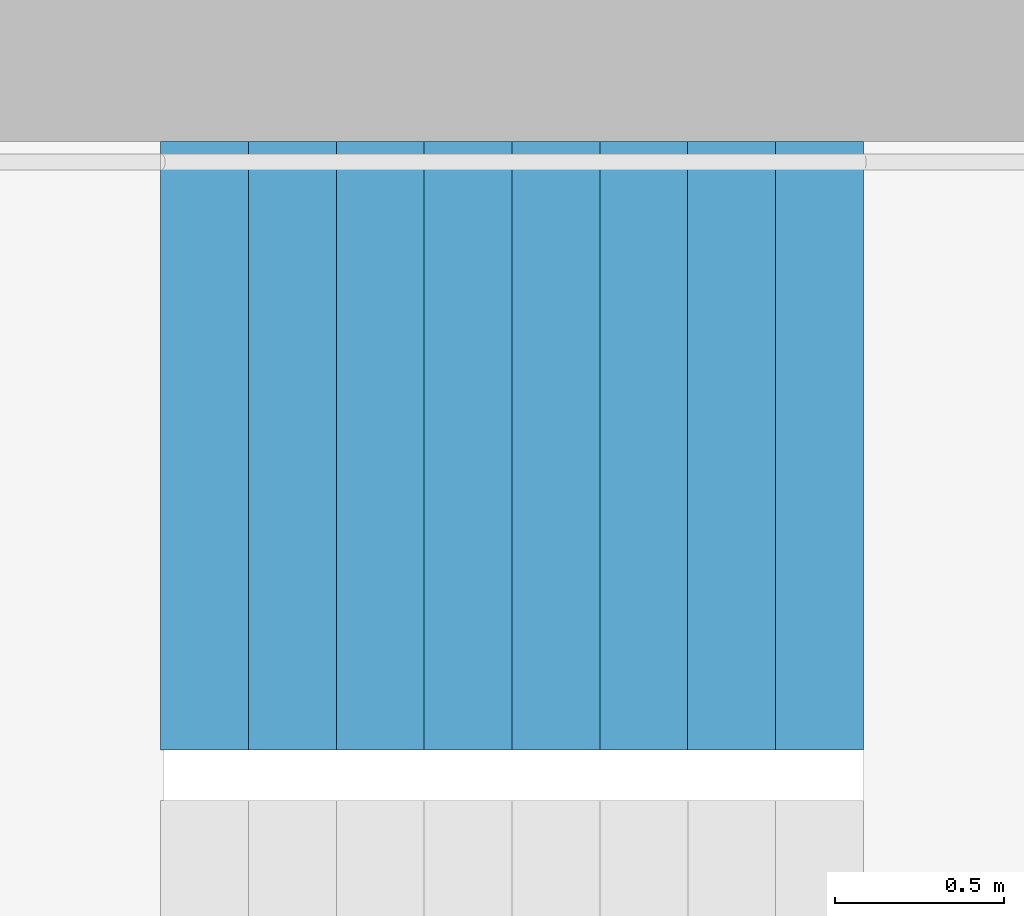
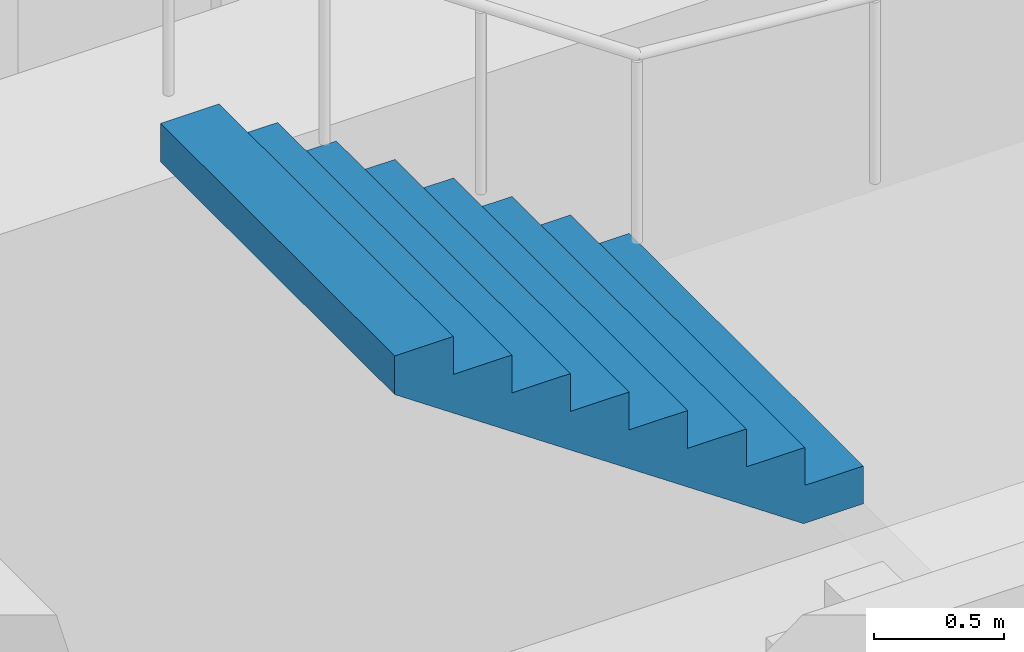
# One storey, part 21 of 26: 1 stair flight, 1 element without a shape of its own.
"""IFC4 building model written with IfcOpenShell, lengths in metres."""

from ifc_helpers import new_model, si_unit, direction, frame, origin, place, context, subcontext, project, spatial, triangles, material, type_object, element, aggregate, save


model = new_model("IFC4")

# Units and contexts
model_context = context("Model", 3, precision=1e-05, world=origin(), true_north=direction((0.0, 1.0)))
body_context = subcontext(model_context, "Body", "Model", "MODEL_VIEW")
ifc_project = project(units=[si_unit("LENGTHUNIT", "METRE"), si_unit("AREAUNIT", "SQUARE_METRE"), si_unit("VOLUMEUNIT", "CUBIC_METRE"), si_unit("PLANEANGLEUNIT", "RADIAN"), si_unit("MASSUNIT", "GRAM", prefix="KILO")], contexts=[model_context])

# Site, building, storey
site_placement = place(None, origin())
site = spatial("IfcSite", under=ifc_project, at=site_placement, CompositionType="ELEMENT")
building_placement = place(site_placement, origin())
building = spatial("IfcBuilding", under=site, at=building_placement, Name="Hakoniwa Tower and Hamabe Station Hall", CompositionType="ELEMENT")
storey_placement = place(building_placement, frame((0.0, 0.0, 140.60009765625)))
storey = spatial("IfcBuildingStorey", under=building, at=storey_placement, Name="L39", CompositionType="ELEMENT", Elevation=140.60009765625)

# Stair, stair flight
ifc_material_1 = material(Name="Concrete C40", Category="concrete")
stair_type = type_object("IfcStairType", Name="ESCAPE STAIR 1800", PredefinedType="HALF_TURN_STAIR", material=ifc_material_1)
stair_placement = place(storey_placement, origin())
stair = element("IfcStair", 1, at=stair_placement, inside=storey, type_object=stair_type, Name="Escape stair ST-1 L39", PredefinedType="HALF_TURN_STAIR")
ifc_material_2 = material(Name="Concrete C40", Category="concrete")
stair_flight_type = type_object("IfcStairFlightType", Name="STAIR FLIGHT 1800", PredefinedType="STRAIGHT", material=ifc_material_2)
stair_flight_placement = place(storey_placement, frame((-22.320068359375, 6.60009765625, 1.599853515625), z_axis=(0.0, 0.0, 1.0), x_axis=(-1.0, 0.0, 0.0)))
stair_flight = element("IfcStairFlight", 2, at=stair_flight_placement, type_object=stair_flight_type, Name="ST-1 flight 2", NumberOfRisers=9, NumberOfTreads=8, PredefinedType="STRAIGHT", RiserHeight=0.177777778, TreadLength=0.26, context=body_context, shape_type="Tessellation", body=[
    triangles([(0.0, 0.89990234375, 0.0), (0.260009765625, 0.89990234375, 0.0), (0.265625, 0.89990234375, 0.0), (0.52001953125, 0.89990234375, 0.174072265625), (0.780029296875, 0.89990234375, 0.351806640625), (1.0400390625, 0.89990234375, 0.529541015625), (1.300048828125, 0.89990234375, 0.707275390625), (1.56005859375, 0.89990234375, 0.885009765625), (1.820068359375, 0.89990234375, 1.062744140625), (2.080078125, 0.89990234375, 1.24072265625), (2.080078125, 0.89990234375, 1.422119140625), (1.820068359375, 0.89990234375, 1.422119140625), (1.820068359375, 0.89990234375, 1.244384765625), (1.56005859375, 0.89990234375, 1.244384765625), (1.56005859375, 0.89990234375, 1.066650390625), (1.300048828125, 0.89990234375, 1.066650390625), (1.300048828125, 0.89990234375, 0.888916015625), (1.0400390625, 0.89990234375, 0.888916015625), (1.0400390625, 0.89990234375, 0.711181640625), (0.780029296875, 0.89990234375, 0.711181640625), (0.780029296875, 0.89990234375, 0.533447265625), (0.52001953125, 0.89990234375, 0.533447265625), (0.52001953125, 0.89990234375, 0.35546875), (0.265625, 0.89990234375, 0.35546875), (0.260009765625, 0.89990234375, 0.35546875), (0.260009765625, 0.89990234375, 0.177734375), (0.0, 0.89990234375, 0.177734375), (0.0, 0.06005859375, 0.0), (0.260009765625, 0.06005859375, 0.0), (0.265625, 0.06005859375, 0.0), (0.52001953125, 0.06005859375, 0.174072265625), (0.780029296875, 0.06005859375, 0.351806640625), (1.0400390625, 0.06005859375, 0.529541015625), (1.300048828125, 0.06005859375, 0.707275390625), (1.56005859375, 0.06005859375, 0.885009765625), (1.820068359375, 0.06005859375, 1.062744140625), (2.080078125, 0.06005859375, 1.24072265625), (2.080078125, 0.06005859375, 1.422119140625), (1.820068359375, 0.06005859375, 1.422119140625), (1.820068359375, 0.06005859375, 1.244384765625), (1.56005859375, 0.06005859375, 1.244384765625), (1.56005859375, 0.06005859375, 1.066650390625), (1.300048828125, 0.06005859375, 1.066650390625), (1.300048828125, 0.06005859375, 0.888916015625), (1.0400390625, 0.06005859375, 0.888916015625), (1.0400390625, 0.06005859375, 0.711181640625), (0.780029296875, 0.06005859375, 0.711181640625), (0.780029296875, 0.06005859375, 0.533447265625), (0.52001953125, 0.06005859375, 0.533447265625), (0.52001953125, 0.06005859375, 0.35546875), (0.265625, 0.06005859375, 0.35546875), (0.260009765625, 0.06005859375, 0.35546875), (0.260009765625, 0.06005859375, 0.177734375), (0.0, 0.06005859375, 0.177734375), (0.0, 0.04296875, 0.0), (0.260009765625, 0.04296875, 0.0), (0.265625, 0.04296875, 0.0), (0.52001953125, 0.04296875, 0.174072265625), (0.780029296875, 0.04296875, 0.351806640625), (1.0400390625, 0.04296875, 0.529541015625), (1.300048828125, 0.04296875, 0.707275390625), (1.56005859375, 0.04296875, 0.885009765625), (1.820068359375, 0.04296875, 1.062744140625), (2.080078125, 0.04296875, 1.24072265625), (2.080078125, 0.04296875, 1.422119140625), (1.820068359375, 0.04296875, 1.422119140625), (1.820068359375, 0.04296875, 1.244384765625), (1.56005859375, 0.04296875, 1.244384765625), (1.56005859375, 0.04296875, 1.066650390625), (1.300048828125, 0.04296875, 1.066650390625), (1.300048828125, 0.04296875, 0.888916015625), (1.0400390625, 0.04296875, 0.888916015625), (1.0400390625, 0.04296875, 0.711181640625), (0.780029296875, 0.04296875, 0.711181640625), (0.780029296875, 0.04296875, 0.533447265625), (0.52001953125, 0.04296875, 0.533447265625), (0.52001953125, 0.04296875, 0.35546875), (0.265625, 0.04296875, 0.35546875), (0.260009765625, 0.04296875, 0.35546875), (0.260009765625, 0.04296875, 0.177734375), (0.0, 0.04296875, 0.177734375), (0.0, 0.025634765625, 0.0), (0.260009765625, 0.025634765625, 0.0), (0.265625, 0.025634765625, 0.0), (0.52001953125, 0.025634765625, 0.174072265625), (0.780029296875, 0.025634765625, 0.351806640625), (1.0400390625, 0.025634765625, 0.529541015625), (1.300048828125, 0.025634765625, 0.707275390625), (1.56005859375, 0.025634765625, 0.885009765625), (1.820068359375, 0.025634765625, 1.062744140625), (2.080078125, 0.025634765625, 1.24072265625), (2.080078125, 0.025634765625, 1.422119140625), (1.820068359375, 0.025634765625, 1.422119140625), (1.820068359375, 0.025634765625, 1.244384765625), (1.56005859375, 0.025634765625, 1.244384765625), (1.56005859375, 0.025634765625, 1.066650390625), (1.300048828125, 0.025634765625, 1.066650390625), (1.300048828125, 0.025634765625, 0.888916015625), (1.0400390625, 0.025634765625, 0.888916015625), (1.0400390625, 0.025634765625, 0.711181640625), (0.780029296875, 0.025634765625, 0.711181640625), (0.780029296875, 0.025634765625, 0.533447265625), (0.52001953125, 0.025634765625, 0.533447265625), (0.52001953125, 0.025634765625, 0.35546875), (0.265625, 0.025634765625, 0.35546875), (0.260009765625, 0.025634765625, 0.35546875), (0.260009765625, 0.025634765625, 0.177734375), (0.0, 0.025634765625, 0.177734375), (0.0, 0.008544921875, 0.0), (0.260009765625, 0.008544921875, 0.0), (0.265625, 0.008544921875, 0.0), (0.52001953125, 0.008544921875, 0.174072265625), (0.780029296875, 0.008544921875, 0.351806640625), (1.0400390625, 0.008544921875, 0.529541015625), (1.300048828125, 0.008544921875, 0.707275390625), (1.56005859375, 0.008544921875, 0.885009765625), (1.820068359375, 0.008544921875, 1.062744140625), (2.080078125, 0.008544921875, 1.24072265625), (2.080078125, 0.008544921875, 1.422119140625), (1.820068359375, 0.008544921875, 1.422119140625), (1.820068359375, 0.008544921875, 1.244384765625), (1.56005859375, 0.008544921875, 1.244384765625), (1.56005859375, 0.008544921875, 1.066650390625), (1.300048828125, 0.008544921875, 1.066650390625), (1.300048828125, 0.008544921875, 0.888916015625), (1.0400390625, 0.008544921875, 0.888916015625), (1.0400390625, 0.008544921875, 0.711181640625), (0.780029296875, 0.008544921875, 0.711181640625), (0.780029296875, 0.008544921875, 0.533447265625), (0.52001953125, 0.008544921875, 0.533447265625), (0.52001953125, 0.008544921875, 0.35546875), (0.265625, 0.008544921875, 0.35546875), (0.260009765625, 0.008544921875, 0.35546875), (0.260009765625, 0.008544921875, 0.177734375), (0.0, 0.008544921875, 0.177734375), (0.0, -0.008544921875, 0.0), (0.260009765625, -0.008544921875, 0.0), (0.265625, -0.008544921875, 0.0), (0.52001953125, -0.008544921875, 0.174072265625), (0.780029296875, -0.008544921875, 0.351806640625), (1.0400390625, -0.008544921875, 0.529541015625), (1.300048828125, -0.008544921875, 0.707275390625), (1.56005859375, -0.008544921875, 0.885009765625), (1.820068359375, -0.008544921875, 1.062744140625), (2.080078125, -0.008544921875, 1.24072265625), (2.080078125, -0.008544921875, 1.422119140625), (1.820068359375, -0.008544921875, 1.422119140625), (1.820068359375, -0.008544921875, 1.244384765625), (1.56005859375, -0.008544921875, 1.244384765625), (1.56005859375, -0.008544921875, 1.066650390625), (1.300048828125, -0.008544921875, 1.066650390625), (1.300048828125, -0.008544921875, 0.888916015625), (1.0400390625, -0.008544921875, 0.888916015625), (1.0400390625, -0.008544921875, 0.711181640625), (0.780029296875, -0.008544921875, 0.711181640625), (0.780029296875, -0.008544921875, 0.533447265625), (0.52001953125, -0.008544921875, 0.533447265625), (0.52001953125, -0.008544921875, 0.35546875), (0.265625, -0.008544921875, 0.35546875), (0.260009765625, -0.008544921875, 0.35546875), (0.260009765625, -0.008544921875, 0.177734375), (0.0, -0.008544921875, 0.177734375), (0.0, -0.025634765625, 0.0), (0.260009765625, -0.025634765625, 0.0), (0.265625, -0.025634765625, 0.0), (0.52001953125, -0.025634765625, 0.174072265625), (0.780029296875, -0.025634765625, 0.351806640625), (1.0400390625, -0.025634765625, 0.529541015625), (1.300048828125, -0.025634765625, 0.707275390625), (1.56005859375, -0.025634765625, 0.885009765625), (1.820068359375, -0.025634765625, 1.062744140625), (2.080078125, -0.025634765625, 1.24072265625), (2.080078125, -0.025634765625, 1.422119140625), (1.820068359375, -0.025634765625, 1.422119140625), (1.820068359375, -0.025634765625, 1.244384765625), (1.56005859375, -0.025634765625, 1.244384765625), (1.56005859375, -0.025634765625, 1.066650390625), (1.300048828125, -0.025634765625, 1.066650390625), (1.300048828125, -0.025634765625, 0.888916015625), (1.0400390625, -0.025634765625, 0.888916015625), (1.0400390625, -0.025634765625, 0.711181640625), (0.780029296875, -0.025634765625, 0.711181640625), (0.780029296875, -0.025634765625, 0.533447265625), (0.52001953125, -0.025634765625, 0.533447265625), (0.52001953125, -0.025634765625, 0.35546875), (0.265625, -0.025634765625, 0.35546875), (0.260009765625, -0.025634765625, 0.35546875), (0.260009765625, -0.025634765625, 0.177734375), (0.0, -0.025634765625, 0.177734375), (0.0, -0.04296875, 0.0), (0.260009765625, -0.04296875, 0.0), (0.265625, -0.04296875, 0.0), (0.52001953125, -0.04296875, 0.174072265625), (0.780029296875, -0.04296875, 0.351806640625), (1.0400390625, -0.04296875, 0.529541015625), (1.300048828125, -0.04296875, 0.707275390625), (1.56005859375, -0.04296875, 0.885009765625), (1.820068359375, -0.04296875, 1.062744140625), (2.080078125, -0.04296875, 1.24072265625), (2.080078125, -0.04296875, 1.422119140625), (1.820068359375, -0.04296875, 1.422119140625), (1.820068359375, -0.04296875, 1.244384765625), (1.56005859375, -0.04296875, 1.244384765625), (1.56005859375, -0.04296875, 1.066650390625), (1.300048828125, -0.04296875, 1.066650390625), (1.300048828125, -0.04296875, 0.888916015625), (1.0400390625, -0.04296875, 0.888916015625), (1.0400390625, -0.04296875, 0.711181640625), (0.780029296875, -0.04296875, 0.711181640625), (0.780029296875, -0.04296875, 0.533447265625), (0.52001953125, -0.04296875, 0.533447265625), (0.52001953125, -0.04296875, 0.35546875), (0.265625, -0.04296875, 0.35546875), (0.260009765625, -0.04296875, 0.35546875), (0.260009765625, -0.04296875, 0.177734375), (0.0, -0.04296875, 0.177734375), (0.0, -0.06005859375, 0.0), (0.260009765625, -0.06005859375, 0.0), (0.265625, -0.06005859375, 0.0), (0.52001953125, -0.06005859375, 0.174072265625), (0.780029296875, -0.06005859375, 0.351806640625), (1.0400390625, -0.06005859375, 0.529541015625), (1.300048828125, -0.06005859375, 0.707275390625), (1.56005859375, -0.06005859375, 0.885009765625), (1.820068359375, -0.06005859375, 1.062744140625), (2.080078125, -0.06005859375, 1.24072265625), (2.080078125, -0.06005859375, 1.422119140625), (1.820068359375, -0.06005859375, 1.422119140625), (1.820068359375, -0.06005859375, 1.244384765625), (1.56005859375, -0.06005859375, 1.244384765625), (1.56005859375, -0.06005859375, 1.066650390625), (1.300048828125, -0.06005859375, 1.066650390625), (1.300048828125, -0.06005859375, 0.888916015625), (1.0400390625, -0.06005859375, 0.888916015625), (1.0400390625, -0.06005859375, 0.711181640625), (0.780029296875, -0.06005859375, 0.711181640625), (0.780029296875, -0.06005859375, 0.533447265625), (0.52001953125, -0.06005859375, 0.533447265625), (0.52001953125, -0.06005859375, 0.35546875), (0.265625, -0.06005859375, 0.35546875), (0.260009765625, -0.06005859375, 0.35546875), (0.260009765625, -0.06005859375, 0.177734375), (0.0, -0.06005859375, 0.177734375), (0.0, -0.89990234375, 0.0), (0.260009765625, -0.89990234375, 0.0), (0.265625, -0.89990234375, 0.0), (0.52001953125, -0.89990234375, 0.174072265625), (0.780029296875, -0.89990234375, 0.351806640625), (1.0400390625, -0.89990234375, 0.529541015625), (1.300048828125, -0.89990234375, 0.707275390625), (1.56005859375, -0.89990234375, 0.885009765625), (1.820068359375, -0.89990234375, 1.062744140625), (2.080078125, -0.89990234375, 1.24072265625), (2.080078125, -0.89990234375, 1.422119140625), (1.820068359375, -0.89990234375, 1.422119140625), (1.820068359375, -0.89990234375, 1.244384765625), (1.56005859375, -0.89990234375, 1.244384765625), (1.56005859375, -0.89990234375, 1.066650390625), (1.300048828125, -0.89990234375, 1.066650390625), (1.300048828125, -0.89990234375, 0.888916015625), (1.0400390625, -0.89990234375, 0.888916015625), (1.0400390625, -0.89990234375, 0.711181640625), (0.780029296875, -0.89990234375, 0.711181640625), (0.780029296875, -0.89990234375, 0.533447265625), (0.52001953125, -0.89990234375, 0.533447265625), (0.52001953125, -0.89990234375, 0.35546875), (0.265625, -0.89990234375, 0.35546875), (0.260009765625, -0.89990234375, 0.35546875), (0.260009765625, -0.89990234375, 0.177734375), (0.0, -0.89990234375, 0.177734375)], [[2, 27, 26], [245, 269, 270], [2, 1, 27], [245, 270, 244], [3, 25, 24], [246, 267, 268], [3, 26, 25], [246, 268, 269], [3, 2, 26], [246, 269, 245], [4, 24, 23], [247, 266, 267], [4, 3, 24], [247, 267, 246], [5, 22, 21], [248, 264, 265], [5, 23, 22], [248, 265, 266], [5, 4, 23], [248, 266, 247], [6, 20, 19], [249, 262, 263], [6, 21, 20], [249, 263, 264], [6, 5, 21], [249, 264, 248], [7, 18, 17], [250, 260, 261], [7, 19, 18], [250, 261, 262], [7, 6, 19], [250, 262, 249], [8, 16, 15], [251, 258, 259], [8, 17, 16], [251, 259, 260], [8, 7, 17], [251, 260, 250], [9, 14, 13], [252, 256, 257], [9, 15, 14], [252, 257, 258], [9, 8, 15], [252, 258, 251], [10, 12, 11], [253, 254, 255], [10, 13, 12], [253, 255, 256], [10, 9, 13], [253, 256, 252], [1, 2, 29], [1, 29, 28], [28, 29, 56], [28, 56, 55], [55, 56, 83], [55, 83, 82], [82, 83, 110], [82, 110, 109], [109, 110, 137], [109, 137, 136], [136, 137, 164], [136, 164, 163], [163, 164, 191], [163, 191, 190], [190, 191, 218], [190, 218, 217], [217, 218, 245], [217, 245, 244], [2, 3, 30], [2, 30, 29], [29, 30, 57], [29, 57, 56], [56, 57, 84], [56, 84, 83], [83, 84, 111], [83, 111, 110], [110, 111, 138], [110, 138, 137], [137, 138, 165], [137, 165, 164], [164, 165, 192], [164, 192, 191], [191, 192, 219], [191, 219, 218], [218, 219, 246], [218, 246, 245], [3, 4, 31], [3, 31, 30], [30, 31, 58], [30, 58, 57], [57, 58, 85], [57, 85, 84], [84, 85, 112], [84, 112, 111], [111, 112, 139], [111, 139, 138], [138, 139, 166], [138, 166, 165], [165, 166, 193], [165, 193, 192], [192, 193, 220], [192, 220, 219], [219, 220, 247], [219, 247, 246], [4, 5, 32], [4, 32, 31], [31, 32, 59], [31, 59, 58], [58, 59, 86], [58, 86, 85], [85, 86, 113], [85, 113, 112], [112, 113, 140], [112, 140, 139], [139, 140, 167], [139, 167, 166], [166, 167, 194], [166, 194, 193], [193, 194, 221], [193, 221, 220], [220, 221, 248], [220, 248, 247], [5, 6, 33], [5, 33, 32], [32, 33, 60], [32, 60, 59], [59, 60, 87], [59, 87, 86], [86, 87, 114], [86, 114, 113], [113, 114, 141], [113, 141, 140], [140, 141, 168], [140, 168, 167], [167, 168, 195], [167, 195, 194], [194, 195, 222], [194, 222, 221], [221, 222, 249], [221, 249, 248], [6, 7, 34], [6, 34, 33], [33, 34, 61], [33, 61, 60], [60, 61, 88], [60, 88, 87], [87, 88, 115], [87, 115, 114], [114, 115, 142], [114, 142, 141], [141, 142, 169], [141, 169, 168], [168, 169, 196], [168, 196, 195], [195, 196, 223], [195, 223, 222], [222, 223, 250], [222, 250, 249], [7, 8, 35], [7, 35, 34], [34, 35, 62], [34, 62, 61], [61, 62, 89], [61, 89, 88], [88, 89, 116], [88, 116, 115], [115, 116, 143], [115, 143, 142], [142, 143, 170], [142, 170, 169], [169, 170, 197], [169, 197, 196], [196, 197, 224], [196, 224, 223], [223, 224, 251], [223, 251, 250], [8, 9, 36], [8, 36, 35], [35, 36, 63], [35, 63, 62], [62, 63, 90], [62, 90, 89], [89, 90, 117], [89, 117, 116], [116, 117, 144], [116, 144, 143], [143, 144, 171], [143, 171, 170], [170, 171, 198], [170, 198, 197], [197, 198, 225], [197, 225, 224], [224, 225, 252], [224, 252, 251], [9, 10, 37], [9, 37, 36], [36, 37, 64], [36, 64, 63], [63, 64, 91], [63, 91, 90], [90, 91, 118], [90, 118, 117], [117, 118, 145], [117, 145, 144], [144, 145, 172], [144, 172, 171], [171, 172, 199], [171, 199, 198], [198, 199, 226], [198, 226, 225], [225, 226, 253], [225, 253, 252], [10, 11, 38], [10, 38, 37], [37, 38, 65], [37, 65, 64], [64, 65, 92], [64, 92, 91], [91, 92, 119], [91, 119, 118], [118, 119, 146], [118, 146, 145], [145, 146, 173], [145, 173, 172], [172, 173, 200], [172, 200, 199], [199, 200, 227], [199, 227, 226], [226, 227, 254], [226, 254, 253], [11, 12, 39], [11, 39, 38], [38, 39, 66], [38, 66, 65], [65, 66, 93], [65, 93, 92], [92, 93, 120], [92, 120, 119], [119, 120, 147], [119, 147, 146], [146, 147, 174], [146, 174, 173], [173, 174, 201], [173, 201, 200], [200, 201, 228], [200, 228, 227], [227, 228, 255], [227, 255, 254], [12, 13, 40], [12, 40, 39], [39, 40, 67], [39, 67, 66], [66, 67, 94], [66, 94, 93], [93, 94, 121], [93, 121, 120], [120, 121, 148], [120, 148, 147], [147, 148, 175], [147, 175, 174], [174, 175, 202], [174, 202, 201], [201, 202, 229], [201, 229, 228], [228, 229, 256], [228, 256, 255], [13, 14, 41], [13, 41, 40], [40, 41, 68], [40, 68, 67], [67, 68, 95], [67, 95, 94], [94, 95, 122], [94, 122, 121], [121, 122, 149], [121, 149, 148], [148, 149, 176], [148, 176, 175], [175, 176, 203], [175, 203, 202], [202, 203, 230], [202, 230, 229], [229, 230, 257], [229, 257, 256], [14, 15, 42], [14, 42, 41], [41, 42, 69], [41, 69, 68], [68, 69, 96], [68, 96, 95], [95, 96, 123], [95, 123, 122], [122, 123, 150], [122, 150, 149], [149, 150, 177], [149, 177, 176], [176, 177, 204], [176, 204, 203], [203, 204, 231], [203, 231, 230], [230, 231, 258], [230, 258, 257], [15, 16, 43], [15, 43, 42], [42, 43, 70], [42, 70, 69], [69, 70, 97], [69, 97, 96], [96, 97, 124], [96, 124, 123], [123, 124, 151], [123, 151, 150], [150, 151, 178], [150, 178, 177], [177, 178, 205], [177, 205, 204], [204, 205, 232], [204, 232, 231], [231, 232, 259], [231, 259, 258], [16, 17, 44], [16, 44, 43], [43, 44, 71], [43, 71, 70], [70, 71, 98], [70, 98, 97], [97, 98, 125], [97, 125, 124], [124, 125, 152], [124, 152, 151], [151, 152, 179], [151, 179, 178], [178, 179, 206], [178, 206, 205], [205, 206, 233], [205, 233, 232], [232, 233, 260], [232, 260, 259], [17, 18, 45], [17, 45, 44], [44, 45, 72], [44, 72, 71], [71, 72, 99], [71, 99, 98], [98, 99, 126], [98, 126, 125], [125, 126, 153], [125, 153, 152], [152, 153, 180], [152, 180, 179], [179, 180, 207], [179, 207, 206], [206, 207, 234], [206, 234, 233], [233, 234, 261], [233, 261, 260], [18, 19, 46], [18, 46, 45], [45, 46, 73], [45, 73, 72], [72, 73, 100], [72, 100, 99], [99, 100, 127], [99, 127, 126], [126, 127, 154], [126, 154, 153], [153, 154, 181], [153, 181, 180], [180, 181, 208], [180, 208, 207], [207, 208, 235], [207, 235, 234], [234, 235, 262], [234, 262, 261], [19, 20, 47], [19, 47, 46], [46, 47, 74], [46, 74, 73], [73, 74, 101], [73, 101, 100], [100, 101, 128], [100, 128, 127], [127, 128, 155], [127, 155, 154], [154, 155, 182], [154, 182, 181], [181, 182, 209], [181, 209, 208], [208, 209, 236], [208, 236, 235], [235, 236, 263], [235, 263, 262], [20, 21, 48], [20, 48, 47], [47, 48, 75], [47, 75, 74], [74, 75, 102], [74, 102, 101], [101, 102, 129], [101, 129, 128], [128, 129, 156], [128, 156, 155], [155, 156, 183], [155, 183, 182], [182, 183, 210], [182, 210, 209], [209, 210, 237], [209, 237, 236], [236, 237, 264], [236, 264, 263], [21, 22, 49], [21, 49, 48], [48, 49, 76], [48, 76, 75], [75, 76, 103], [75, 103, 102], [102, 103, 130], [102, 130, 129], [129, 130, 157], [129, 157, 156], [156, 157, 184], [156, 184, 183], [183, 184, 211], [183, 211, 210], [210, 211, 238], [210, 238, 237], [237, 238, 265], [237, 265, 264], [22, 23, 50], [22, 50, 49], [49, 50, 77], [49, 77, 76], [76, 77, 104], [76, 104, 103], [103, 104, 131], [103, 131, 130], [130, 131, 158], [130, 158, 157], [157, 158, 185], [157, 185, 184], [184, 185, 212], [184, 212, 211], [211, 212, 239], [211, 239, 238], [238, 239, 266], [238, 266, 265], [23, 24, 51], [23, 51, 50], [50, 51, 78], [50, 78, 77], [77, 78, 105], [77, 105, 104], [104, 105, 132], [104, 132, 131], [131, 132, 159], [131, 159, 158], [158, 159, 186], [158, 186, 185], [185, 186, 213], [185, 213, 212], [212, 213, 240], [212, 240, 239], [239, 240, 267], [239, 267, 266], [24, 25, 52], [24, 52, 51], [51, 52, 79], [51, 79, 78], [78, 79, 106], [78, 106, 105], [105, 106, 133], [105, 133, 132], [132, 133, 160], [132, 160, 159], [159, 160, 187], [159, 187, 186], [186, 187, 214], [186, 214, 213], [213, 214, 241], [213, 241, 240], [240, 241, 268], [240, 268, 267], [25, 26, 53], [25, 53, 52], [52, 53, 80], [52, 80, 79], [79, 80, 107], [79, 107, 106], [106, 107, 134], [106, 134, 133], [133, 134, 161], [133, 161, 160], [160, 161, 188], [160, 188, 187], [187, 188, 215], [187, 215, 214], [214, 215, 242], [214, 242, 241], [241, 242, 269], [241, 269, 268], [26, 27, 54], [26, 54, 53], [53, 54, 81], [53, 81, 80], [80, 81, 108], [80, 108, 107], [107, 108, 135], [107, 135, 134], [134, 135, 162], [134, 162, 161], [161, 162, 189], [161, 189, 188], [188, 189, 216], [188, 216, 215], [215, 216, 243], [215, 243, 242], [242, 243, 270], [242, 270, 269], [27, 1, 28], [27, 28, 54], [54, 28, 55], [54, 55, 81], [81, 55, 82], [81, 82, 108], [108, 82, 109], [108, 109, 135], [135, 109, 136], [135, 136, 162], [162, 136, 163], [162, 163, 189], [189, 163, 190], [189, 190, 216], [216, 190, 217], [216, 217, 243], [243, 217, 244], [243, 244, 270]], closed=True),
])
aggregate(stair, [stair_flight])

save(model, "model.ifc")
